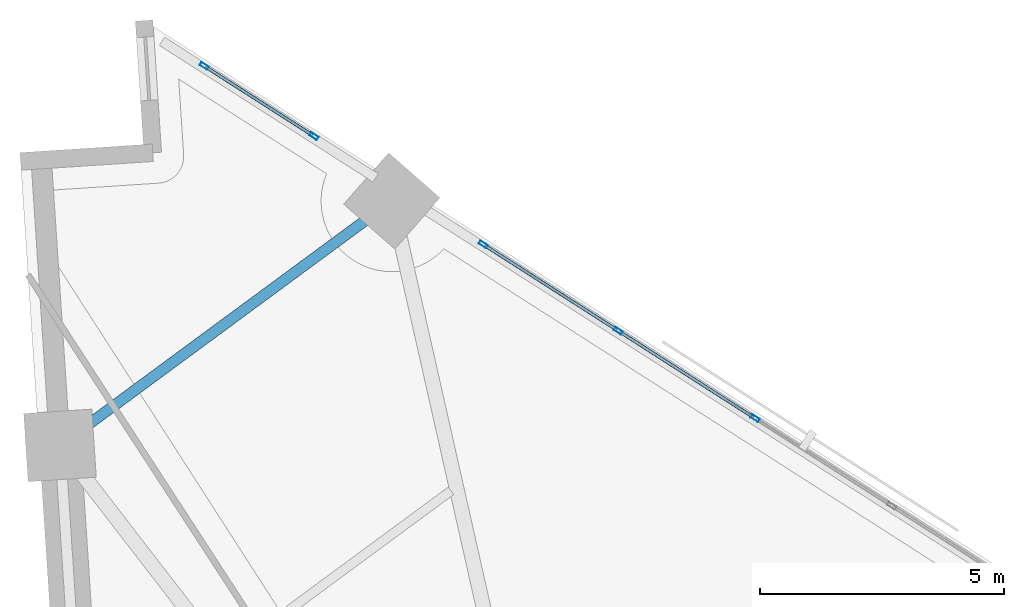
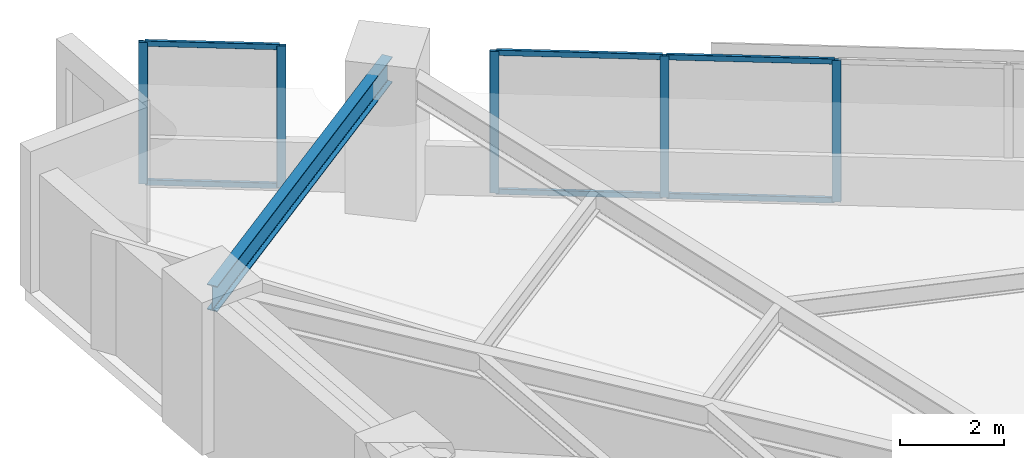
# One storey, part 9 of 16: 11 members, 1 beam, 2 elements without a shape of their own.
"""IFC4 building model written with IfcOpenShell, lengths in metres."""

from ifc_helpers import new_model, si_unit, direction, frame, origin, origin_2d, place, context, subcontext, project, spatial, hollow_rectangle, i_section, extrude, material, material_profile, profile_set, type_object, element, aggregate, save


model = new_model("IFC4")

# Units and contexts
model_context = context("Model", 3, precision=1e-05, world=origin(), true_north=direction((0.0, 1.0)))
body_context = subcontext(model_context, "Body", "Model", "MODEL_VIEW")
ifc_project = project(units=[si_unit("LENGTHUNIT", "METRE"), si_unit("AREAUNIT", "SQUARE_METRE"), si_unit("VOLUMEUNIT", "CUBIC_METRE"), si_unit("PLANEANGLEUNIT", "RADIAN"), si_unit("MASSUNIT", "GRAM", prefix="KILO")], contexts=[model_context])

# Site, building, storey
site_placement = place(None, origin())
site = spatial("IfcSite", under=ifc_project, at=site_placement, CompositionType="ELEMENT")
building_placement = place(site_placement, origin())
building = spatial("IfcBuilding", under=site, at=building_placement, Name="Narakoshi Arena Tower", CompositionType="ELEMENT")
storey_placement = place(building_placement, frame((0.0, 0.0, 77.699951171875)))
storey = spatial("IfcBuildingStorey", under=building, at=storey_placement, Name="L20", CompositionType="ELEMENT", Elevation=77.699951171875)

# Beam
ifc_material_1 = material(Name="Structural steel S355J2", Category="steel")
ifc_material_profile_1 = material_profile(ifc_material_1, i_section(OverallWidth=0.219970703125, OverallDepth=0.60009765625, WebThickness=0.011962890625, FlangeThickness=0.01904296875, FilletRadius=0.02392578125, at=origin_2d()), Name="IPE600")
ifc_profile_set_1 = profile_set([ifc_material_profile_1], Name="Structural steel S355J2")
beam_type = type_object("IfcBeamType", Name="BM-EDGE-600", PredefinedType="BEAM", material=ifc_profile_set_1)
beam_placement = place(storey_placement, frame((67.58984375, 76.04345703125, 3.0400390625), z_axis=(-0.805132069621, -0.59309556605, 0.0), x_axis=(0.59309556605, -0.805132069621, 0.0)))
element("IfcBeam", 1, at=beam_placement, inside=storey, type_object=beam_type, Name="L20 Perimeter Edge Girder 11", PredefinedType="BEAM", context=body_context, shape_type="SweptSolid", body=[
    extrude(i_section(OverallWidth=0.219970703125, OverallDepth=0.60009765625, WebThickness=0.011962890625, FlangeThickness=0.01904296875, FilletRadius=0.02392578125, at=origin_2d()), origin(), (0.0, 0.0, 1.0), 8.451416015625),
])

# Curtain wall, members
ifc_material_2 = material(Name="Anodised bronze aluminium 6063-T6", Category="aluminium")
curtain_wall_type = type_object("IfcCurtainWallType", Name="CW-HYP-LOW", PredefinedType="NOTDEFINED", material=ifc_material_2)
curtain_wall_1_placement = place(storey_placement, origin())
curtain_wall_1 = element("IfcCurtainWall", 2, at=curtain_wall_1_placement, inside=storey, type_object=curtain_wall_type, Name="L20 Folded Hypotenuse Curtain Wall 2-2", PredefinedType="NOTDEFINED")
ifc_material_profile_2 = material_profile(ifc_material_2, hollow_rectangle(XDim=0.074951171875, YDim=0.179931640625, WallThickness=0.00390625, OuterFilletRadius=0.0048828125, at=origin_2d()), Name="MUL180x75x4")
ifc_profile_set_2 = profile_set([ifc_material_profile_2], Name="Anodised bronze aluminium 6063-T6")
member_type_1 = type_object("IfcMemberType", Name="MEM-MUL-180", PredefinedType="MULLION", material=ifc_profile_set_2)
member_1_placement = place(storey_placement, frame((75.039794921875, 71.5869140625, 0.0), z_axis=(0.0, 0.0, 1.0), x_axis=(-0.538829098714, -0.842415100992, 0.0)))
member_1 = element("IfcMember", 3, at=member_1_placement, type_object=member_type_1, Name="CW-01 mullion 4", PredefinedType="MULLION", context=body_context, shape_type="SweptSolid", body=[
    extrude(hollow_rectangle(XDim=0.074951171875, YDim=0.179931640625, WallThickness=0.00390625, OuterFilletRadius=0.0048828125, at=origin_2d()), origin(), (0.0, 0.0, 1.0), 3.340087890625),
])
member_2_placement = place(storey_placement, frame((72.236083984375, 73.380126953125, 0.0), z_axis=(0.0, 0.0, 1.0), x_axis=(-0.538829098714, -0.842415100992, 0.0)))
member_2 = element("IfcMember", 4, at=member_2_placement, type_object=member_type_1, Name="CW-01 mullion 5", PredefinedType="MULLION", context=body_context, shape_type="SweptSolid", body=[
    extrude(hollow_rectangle(XDim=0.074951171875, YDim=0.179931640625, WallThickness=0.00390625, OuterFilletRadius=0.0048828125, at=origin_2d()), origin(), (0.0, 0.0, 1.0), 3.340087890625),
])
member_3_placement = place(storey_placement, frame((69.464111328125, 75.1533203125, 0.0), z_axis=(0.0, 0.0, 1.0), x_axis=(-0.538829098714, -0.842415100992, 0.0)))
member_3 = element("IfcMember", 5, at=member_3_placement, type_object=member_type_1, Name="CW-01 mullion 6", PredefinedType="MULLION", context=body_context, shape_type="SweptSolid", body=[
    extrude(hollow_rectangle(XDim=0.074951171875, YDim=0.179931640625, WallThickness=0.00390625, OuterFilletRadius=0.0048828125, at=origin_2d()), origin(), (0.0, 0.0, 1.0), 3.340087890625),
])

curtain_wall_2_placement = place(storey_placement, origin())
curtain_wall_2 = element("IfcCurtainWall", 6, at=curtain_wall_2_placement, inside=storey, type_object=curtain_wall_type, Name="L20 Folded Hypotenuse Curtain Wall 2-3", PredefinedType="NOTDEFINED")
member_4_placement = place(storey_placement, frame((65.99462890625, 77.372314453125, 0.0), z_axis=(0.0, 0.0, 1.0), x_axis=(-0.538841109017, -0.842407418791, 0.0)))
member_4 = element("IfcMember", 7, at=member_4_placement, type_object=member_type_1, Name="CW-01 mullion 1", PredefinedType="MULLION", context=body_context, shape_type="SweptSolid", body=[
    extrude(hollow_rectangle(XDim=0.074951171875, YDim=0.179931640625, WallThickness=0.00390625, OuterFilletRadius=0.0048828125, at=origin_2d()), origin(), (0.0, 0.0, 1.0), 3.340087890625),
])
member_5_placement = place(storey_placement, frame((63.7412109375, 78.813720703125, 0.0), z_axis=(0.0, 0.0, 1.0), x_axis=(-0.538841109017, -0.842407418791, 0.0)))
member_5 = element("IfcMember", 8, at=member_5_placement, type_object=member_type_1, Name="CW-01 mullion 2", PredefinedType="MULLION", context=body_context, shape_type="SweptSolid", body=[
    extrude(hollow_rectangle(XDim=0.074951171875, YDim=0.179931640625, WallThickness=0.00390625, OuterFilletRadius=0.0048828125, at=origin_2d()), origin(), (0.0, 0.0, 1.0), 3.340087890625),
])

# Member
ifc_material_profile_3 = material_profile(ifc_material_2, hollow_rectangle(XDim=0.06494140625, YDim=0.1298828125, WallThickness=0.00390625, OuterFilletRadius=0.0048828125, at=origin_2d()), Name="TRN130x65x4")
ifc_profile_set_3 = profile_set([ifc_material_profile_3], Name="Anodised bronze aluminium 6063-T6")
member_type_2 = type_object("IfcMemberType", Name="MEM-TRN-130", PredefinedType="USERDEFINED", material=ifc_profile_set_3)
member_6_placement = place(storey_placement, frame((75.00830078125, 71.60693359375, 0.032470703125), z_axis=(-0.842407668774, 0.5388407182, 0.0), x_axis=(-0.5388407182, -0.842407668774, 0.0)))
member_6 = element("IfcMember", 9, at=member_6_placement, type_object=member_type_2, Name="CW-01 transom 4.1", ObjectType="TRANSOM", PredefinedType="USERDEFINED", context=body_context, shape_type="SweptSolid", body=[
    extrude(hollow_rectangle(XDim=0.06494140625, YDim=0.1298828125, WallThickness=0.00390625, OuterFilletRadius=0.0048828125, at=origin_2d()), origin(), (0.0, 0.0, 1.0), 3.253173828125),
])

member_7_placement = place(storey_placement, frame((75.00830078125, 71.60693359375, 3.3076171875), z_axis=(-0.842407668774, 0.5388407182, 0.0), x_axis=(-0.5388407182, -0.842407668774, 0.0)))
member_7 = element("IfcMember", 10, at=member_7_placement, type_object=member_type_2, Name="CW-01 transom 4.2", ObjectType="TRANSOM", PredefinedType="USERDEFINED", context=body_context, shape_type="SweptSolid", body=[
    extrude(hollow_rectangle(XDim=0.06494140625, YDim=0.1298828125, WallThickness=0.00390625, OuterFilletRadius=0.0048828125, at=origin_2d()), origin(), (0.0, 0.0, 1.0), 3.253173828125),
])

member_8_placement = place(storey_placement, frame((72.20458984375, 73.400390625, 0.032470703125), z_axis=(-0.842424416084, 0.538814535053, 0.0), x_axis=(-0.538814535053, -0.842424416084, 0.0)))
member_8 = element("IfcMember", 11, at=member_8_placement, type_object=member_type_2, Name="CW-01 transom 5.1", ObjectType="TRANSOM", PredefinedType="USERDEFINED", context=body_context, shape_type="SweptSolid", body=[
    extrude(hollow_rectangle(XDim=0.06494140625, YDim=0.1298828125, WallThickness=0.00390625, OuterFilletRadius=0.0048828125, at=origin_2d()), origin(), (0.0, 0.0, 1.0), 3.2158203125),
])

member_9_placement = place(storey_placement, frame((72.20458984375, 73.400390625, 3.3076171875), z_axis=(-0.842424416084, 0.538814535053, 0.0), x_axis=(-0.538814535053, -0.842424416084, 0.0)))
member_9 = element("IfcMember", 12, at=member_9_placement, type_object=member_type_2, Name="CW-01 transom 5.2", ObjectType="TRANSOM", PredefinedType="USERDEFINED", context=body_context, shape_type="SweptSolid", body=[
    extrude(hollow_rectangle(XDim=0.06494140625, YDim=0.1298828125, WallThickness=0.00390625, OuterFilletRadius=0.0048828125, at=origin_2d()), origin(), (0.0, 0.0, 1.0), 3.2158203125),
])

aggregate(curtain_wall_1, [member_1, member_2, member_3, member_6, member_7, member_8, member_9])

member_10_placement = place(storey_placement, frame((65.963134765625, 77.392578125, 0.032470703125), z_axis=(-0.84237541022, 0.538891146946, 0.0), x_axis=(-0.538891146946, -0.84237541022, 0.0)))
member_10 = element("IfcMember", 13, at=member_10_placement, type_object=member_type_2, Name="CW-01 transom 1.1", ObjectType="TRANSOM", PredefinedType="USERDEFINED", context=body_context, shape_type="SweptSolid", body=[
    extrude(hollow_rectangle(XDim=0.06494140625, YDim=0.1298828125, WallThickness=0.00390625, OuterFilletRadius=0.0048828125, at=origin_2d()), origin(), (0.0, 0.0, 1.0), 2.60009765625),
])

member_11_placement = place(storey_placement, frame((65.963134765625, 77.392578125, 3.3076171875), z_axis=(-0.84237541022, 0.538891146946, 0.0), x_axis=(-0.538891146946, -0.84237541022, 0.0)))
member_11 = element("IfcMember", 14, at=member_11_placement, type_object=member_type_2, Name="CW-01 transom 1.2", ObjectType="TRANSOM", PredefinedType="USERDEFINED", context=body_context, shape_type="SweptSolid", body=[
    extrude(hollow_rectangle(XDim=0.06494140625, YDim=0.1298828125, WallThickness=0.00390625, OuterFilletRadius=0.0048828125, at=origin_2d()), origin(), (0.0, 0.0, 1.0), 2.60009765625),
])

aggregate(curtain_wall_2, [member_4, member_5, member_10, member_11])

save(model, "model.ifc")
